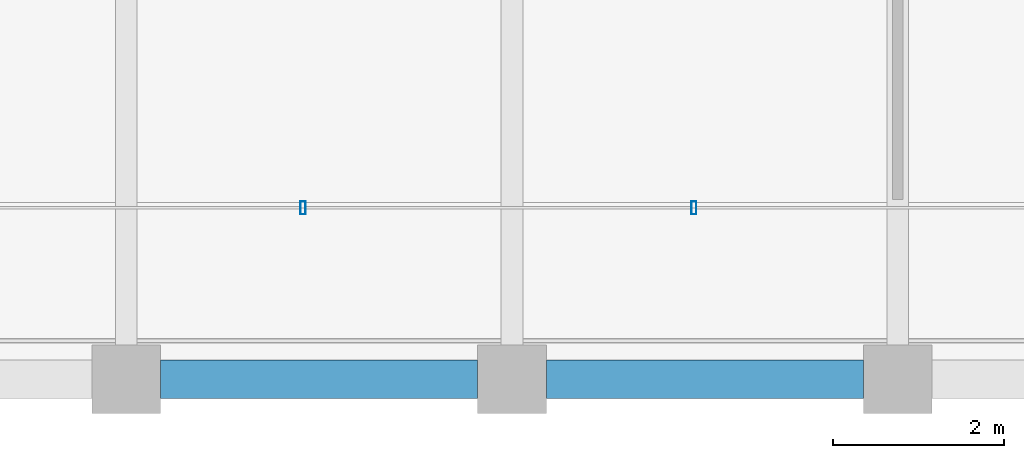
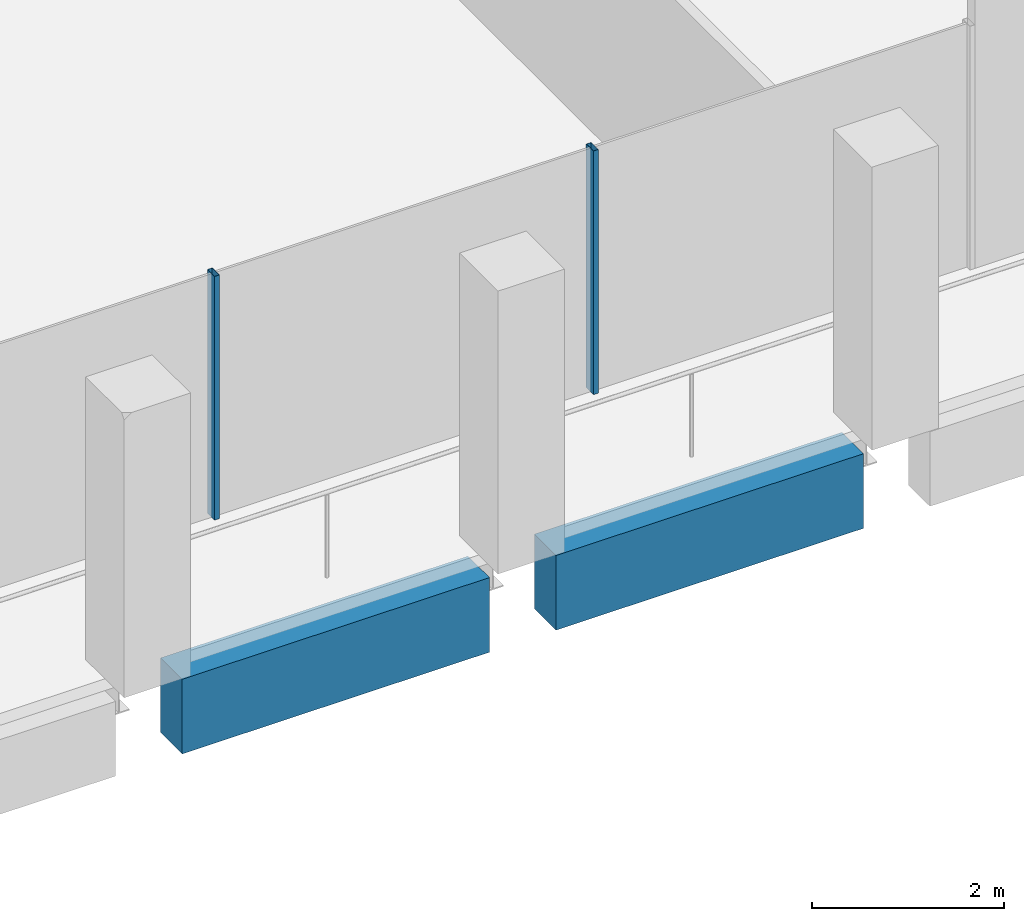
# One storey, part 3 of 40: 2 beams, 2 members, 1 element without a shape of its own.
"""IFC4 building model written with IfcOpenShell, lengths in metres."""

import ifcopenshell
import ifcopenshell.guid

model = None  # the IFC model being written
_history = None  # IfcOwnerHistory: only IFC2X3 demands one
_inside = {}  # id of a spatial element -> (the spatial element, [elements in it])
_under = {}  # id of a project, library or spatial element -> (it, [spatial elements below it])
_declared = {}  # id of a project -> (the project, [libraries it declares])
_typed = {}  # id of a type object -> (the type object, [elements of that type])
_made_of = {}  # id of a material, layer set ... -> (it, [elements and type objects made of it])


def new_model(schema):
    """Start an empty IFC model of exactly this schema.

    Asked for "IFC4X3", IfcOpenShell would pick the latest addendum, in which some entities
    have other attributes; the version numbers below select the first issue.
    IFC2X3 requires an IfcOwnerHistory on every rooted entity: one is made here for all.
    """
    global model, _history
    if schema == "IFC4X3":
        model = ifcopenshell.file(schema_version=(4, 3, 0, 0))
    else:
        model = ifcopenshell.file(schema=schema)
    _inside.clear()
    _under.clear()
    _declared.clear()
    _typed.clear()
    _made_of.clear()
    _history = None
    if model.schema == "IFC2X3":
        org = make("IfcOrganization", Name="unknown")
        user = make(
            "IfcPersonAndOrganization",
            ThePerson=make("IfcPerson", FamilyName="unknown"),
            TheOrganization=org,
        )
        app = make(
            "IfcApplication",
            ApplicationDeveloper=org,
            Version="unknown",
            ApplicationFullName="unknown",
            ApplicationIdentifier="unknown",
        )
        _history = make(
            "IfcOwnerHistory",
            OwningUser=user,
            OwningApplication=app,
            ChangeAction="ADDED",
            CreationDate=0,
        )
    return model


def make(cls, **values):
    """One entity of the class cls with the attributes given. An attribute that is None is left unset."""
    return model.create_entity(
        cls, **{name: value for name, value in values.items() if value is not None}
    )


def rooted(cls, **values):
    """An entity with a GlobalId (a new one), such as an element, a storey or a relation."""
    return make(cls, GlobalId=ifcopenshell.guid.new(), OwnerHistory=_history, **values)


def si_unit(unit_type, name, prefix=None):
    """IfcSIUnit, for example si_unit("LENGTHUNIT", "METRE", prefix="MILLI")."""
    return make("IfcSIUnit", UnitType=unit_type, Prefix=prefix, Name=name)


def assignment(units):
    """IfcUnitAssignment: the units of a project."""
    return None if units is None else make("IfcUnitAssignment", Units=units)


def point(xyz):
    """IfcCartesianPoint."""
    return None if xyz is None else make("IfcCartesianPoint", Coordinates=xyz)


def direction(xyz):
    """IfcDirection."""
    return None if xyz is None else make("IfcDirection", DirectionRatios=xyz)


def frame(location, z_axis=None, x_axis=None):
    """IfcAxis2Placement3D, a coordinate frame: its origin and axes. An axis left out is left unset."""
    return make(
        "IfcAxis2Placement3D",
        Location=point(location),
        Axis=direction(z_axis),
        RefDirection=direction(x_axis),
    )


def frame_2d(location, x_axis=None):
    """IfcAxis2Placement2D, a coordinate frame in the plane: its origin and x axis."""
    return make(
        "IfcAxis2Placement2D", Location=point(location), RefDirection=direction(x_axis)
    )


def origin():
    """The frame at (0, 0, 0) with its axes left unset."""
    return frame((0.0, 0.0, 0.0))


def origin_2d():
    """The frame at (0, 0) in the plane with its x axis left unset."""
    return frame_2d((0.0, 0.0))


def place(relative_to, where):
    """IfcLocalPlacement: puts the frame where relative to a parent placement (None: the world)."""
    return make(
        "IfcLocalPlacement", PlacementRelTo=relative_to, RelativePlacement=where
    )


def context(
    kind, dimensions, precision=None, world=None, true_north=None, identifier=None
):
    """IfcGeometricRepresentationContext, for example the 3D "Model" context."""
    return make(
        "IfcGeometricRepresentationContext",
        ContextIdentifier=identifier,
        ContextType=kind,
        CoordinateSpaceDimension=dimensions,
        Precision=precision,
        WorldCoordinateSystem=world,
        TrueNorth=true_north,
    )


def subcontext(parent, identifier, kind, view, scale=None):
    """IfcGeometricRepresentationSubContext, for example "Body" below "Model"."""
    return make(
        "IfcGeometricRepresentationSubContext",
        ContextIdentifier=identifier,
        ContextType=kind,
        ParentContext=parent,
        TargetScale=scale,
        TargetView=view,
    )


def project(units=None, contexts=None):
    """IfcProject with its units and contexts."""
    return rooted(
        "IfcProject",
        Name="project",
        RepresentationContexts=contexts,
        UnitsInContext=assignment(units),
    )


def spatial(cls, under=None, at=None, **own):
    """A site, building, storey or space (cls), placed at a placement, below another one or the project."""
    s = rooted(cls, ObjectPlacement=at, **own)
    if under is not None:
        _under.setdefault(under.id(), (under, []))[1].append(s)
    return s


def profile(cls, at=None, kind="AREA", **sizes):
    """A parametric profile (cls). Its sizes go by their IFC names, for example OverallWidth=200.0."""
    return make(cls, ProfileType=kind, Position=at, **sizes)


def rectangle(**sizes):
    """IfcRectangleProfileDef."""
    return profile("IfcRectangleProfileDef", **sizes)


def hollow_rectangle(**sizes):
    """IfcRectangleHollowProfileDef."""
    return profile("IfcRectangleHollowProfileDef", **sizes)


def extrude(swept, where, along, depth):
    """IfcExtrudedAreaSolid: the profile swept, set in the frame where, extruded along a direction by depth."""
    return make(
        "IfcExtrudedAreaSolid",
        SweptArea=swept,
        Position=where,
        ExtrudedDirection=direction(along),
        Depth=depth,
    )


def shape(context_of_items, identifier, shape_type, items):
    """IfcShapeRepresentation: the items that make up one representation, for example the "Body"."""
    return make(
        "IfcShapeRepresentation",
        ContextOfItems=context_of_items,
        RepresentationIdentifier=identifier,
        RepresentationType=shape_type,
        Items=items,
    )


def material(Name=None, Category=None):
    """IfcMaterial."""
    return make("IfcMaterial", Name=Name, Category=Category)


def material_profile(
    of_material, cross_section, Name=None, Category=None, Priority=None
):
    """IfcMaterialProfile: a cross section and its material."""
    return make(
        "IfcMaterialProfile",
        Name=Name,
        Material=of_material,
        Profile=cross_section,
        Priority=Priority,
        Category=Category,
    )


def profile_set(profiles, Name=None, composite=None):
    """IfcMaterialProfileSet."""
    return make(
        "IfcMaterialProfileSet",
        Name=Name,
        MaterialProfiles=profiles,
        CompositeProfile=composite,
    )


def made_of(thing, what):
    """Note that an element or type object is made of a material, layer set ...; save() writes the relation."""
    if what is not None:
        _made_of.setdefault(what.id(), (what, []))[1].append(thing)
    return thing


def type_object(cls, material=None, **own):
    """A type object (cls), such as IfcWallType, which elements share."""
    return made_of(rooted(cls, **own), material)


def element(
    cls,
    number,
    at=None,
    inside=None,
    cuts=None,
    type_object=None,
    material=None,
    context=None,
    identifier="Body",
    shape_type=None,
    held_by="IfcProductDefinitionShape",
    body=None,
    shapes=None,
    **own,
):
    """One element of the class cls, such as IfcWall. Its Tag is "e" and its number.

    at: its placement. inside: the storey or other place that contains it. cuts: it is an
    opening in that element (IfcRelVoidsElement). A single representation is given by context,
    identifier, shape_type and body (its items); several are given by shapes. held_by: the class
    of the entity that holds the representations. save() writes the other relations.
    """
    e = rooted(cls, Tag="e%d" % number, ObjectPlacement=at, **own)
    if body is not None:
        shapes = [shape(context, identifier, shape_type, body)]
    if shapes is not None:
        e.Representation = make(held_by, Representations=shapes)
    if inside is not None:
        _inside.setdefault(inside.id(), (inside, []))[1].append(e)
    if cuts is not None:
        rooted(
            "IfcRelVoidsElement", RelatingBuildingElement=cuts, RelatedOpeningElement=e
        )
    if type_object is not None:
        _typed.setdefault(type_object.id(), (type_object, []))[1].append(e)
    return made_of(e, material)


def aggregate(whole, parts):
    """IfcRelAggregates: a whole, such as a stair, and the parts it consists of."""
    return rooted("IfcRelAggregates", RelatingObject=whole, RelatedObjects=parts)


def save(model, path):
    """Write the relations noted so far, then the file.

    IfcRelAggregates (storeys below a building ...), IfcRelContainedInSpatialStructure (elements
    in a storey), IfcRelDefinesByType, IfcRelAssociatesMaterial and IfcRelDeclares: one each for
    every whole, place, type object, material and project.
    """
    for whole, parts in _under.values():
        aggregate(whole, parts)
    for where, things in _inside.values():
        rooted(
            "IfcRelContainedInSpatialStructure",
            RelatedElements=things,
            RelatingStructure=where,
        )
    for kind, things in _typed.values():
        rooted("IfcRelDefinesByType", RelatedObjects=things, RelatingType=kind)
    for what, things in _made_of.values():
        rooted("IfcRelAssociatesMaterial", RelatedObjects=things, RelatingMaterial=what)
    for by, libraries in _declared.values():
        rooted("IfcRelDeclares", RelatingContext=by, RelatedDefinitions=libraries)
    model.write(path)


model = new_model("IFC4")

# Units and contexts
model_context = context("Model", 3, precision=1e-05, world=origin(), true_north=direction((0.0, 1.0)))
body_context = subcontext(model_context, "Body", "Model", "MODEL_VIEW")
ifc_project = project(units=[si_unit("LENGTHUNIT", "METRE"), si_unit("AREAUNIT", "SQUARE_METRE"), si_unit("VOLUMEUNIT", "CUBIC_METRE"), si_unit("PLANEANGLEUNIT", "RADIAN"), si_unit("MASSUNIT", "GRAM", prefix="KILO")], contexts=[model_context])

# Site, building, storey
site_placement = place(None, origin())
site = spatial("IfcSite", under=ifc_project, at=site_placement, CompositionType="ELEMENT")
building_placement = place(site_placement, origin())
building = spatial("IfcBuilding", under=site, at=building_placement, Name="Altepetl Exchange Towers", CompositionType="ELEMENT")
storey_placement = place(building_placement, frame((0.0, 0.0, 199.199951171875)))
storey = spatial("IfcBuildingStorey", under=building, at=storey_placement, Name="L50", CompositionType="ELEMENT", Elevation=199.199951171875)

# Curtain wall, members
ifc_material_1 = material(Name="Aluminium 6063-T6 glazing", Category="aluminium")
curtain_wall_type = type_object("IfcCurtainWallType", Name="Loggia glazing system", PredefinedType="NOTDEFINED", material=ifc_material_1)
curtain_wall_placement = place(storey_placement, origin())
curtain_wall = element("IfcCurtainWall", 1, at=curtain_wall_placement, inside=storey, type_object=curtain_wall_type, Name="CW1 run", PredefinedType="NOTDEFINED")
ifc_material_2 = material(Name="Aluminium 6063-T6", Category="aluminium")
ifc_material_profile_1 = material_profile(ifc_material_2, hollow_rectangle(XDim=0.06005859375, YDim=0.14990234375, WallThickness=0.0029296875, at=origin_2d()), Name="Mullion 60x150 aluminium")
ifc_profile_set_1 = profile_set([ifc_material_profile_1], Name="Aluminium 6063-T6")
member_type = type_object("IfcMemberType", Name="Mullion 60x150 aluminium", PredefinedType="MULLION", material=ifc_profile_set_1)
member_1_placement = place(storey_placement, frame((38.060791015625, 29.0, 0.0)))
member_1 = element("IfcMember", 2, at=member_1_placement, type_object=member_type, Name="MU1 mullion", PredefinedType="MULLION", context=body_context, shape_type="SweptSolid", body=[
    extrude(hollow_rectangle(XDim=0.06005859375, YDim=0.14990234375, WallThickness=0.0029296875, at=origin_2d()), origin(), (0.0, 0.0, 1.0), 3.10009765625),
])
member_2_placement = place(storey_placement, frame((42.621337890625, 29.0, 0.0)))
member_2 = element("IfcMember", 3, at=member_2_placement, type_object=member_type, Name="MU1 mullion", PredefinedType="MULLION", context=body_context, shape_type="SweptSolid", body=[
    extrude(hollow_rectangle(XDim=0.06005859375, YDim=0.14990234375, WallThickness=0.0029296875, at=origin_2d()), origin(), (0.0, 0.0, 1.0), 3.10009765625),
])
aggregate(curtain_wall, [member_1, member_2])

# Beams
ifc_material_3 = material(Name="Concrete C50/60 precast with cantera blanca facing", Category="concrete")
ifc_material_profile_2 = material_profile(ifc_material_3, rectangle(XDim=0.449951171875, YDim=0.949951171875, at=origin_2d()), Name="450 x 950")
ifc_profile_set_2 = profile_set([ifc_material_profile_2], Name="Concrete C50/60 precast with cantera blanca facing")
beam_type = type_object("IfcBeamType", Name="Spandrel beam 450x950 cantera blanca", PredefinedType="SPANDREL", material=ifc_profile_set_2)
for number, where, z_axis, x_axis, name in (
    (4, (36.39990234375, 27.0, -0.625), (1.0, 0.0, 0.0), (0.0, 1.0, 0.0), "sp:A:L50:001"),
    (5, (40.89990234375, 27.0, -0.625), (1.0, 0.0, 0.0), (0.0, 1.0, 0.0), "sp:A:L50:002"),
):
    element("IfcBeam", number, at=place(storey_placement, frame(where, z_axis=z_axis, x_axis=x_axis)), inside=storey, type_object=beam_type, Name=name, PredefinedType="SPANDREL", context=body_context, shape_type="SweptSolid", body=[
        extrude(rectangle(XDim=0.449951171875, YDim=0.949951171875, at=origin_2d()), origin(), (0.0, 0.0, 1.0), 3.7001953125),
    ])

save(model, "model.ifc")
